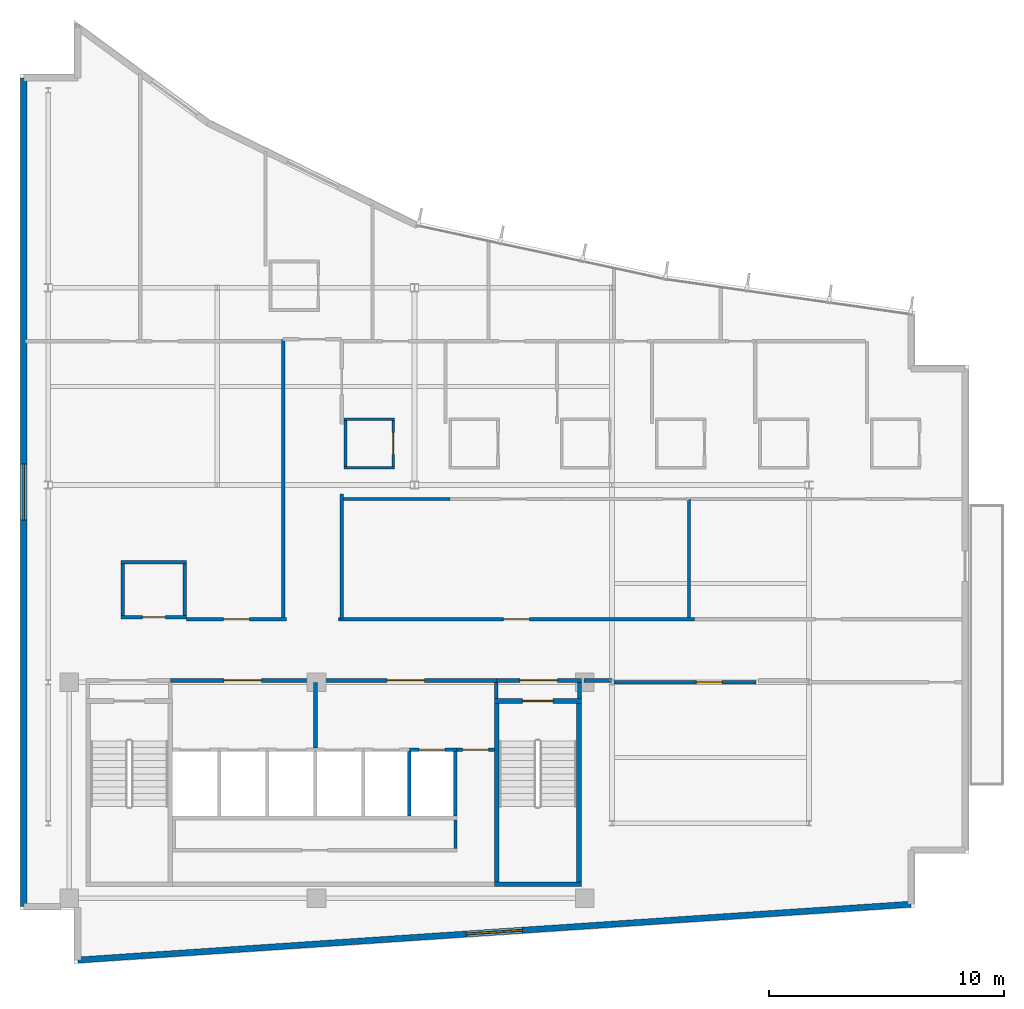
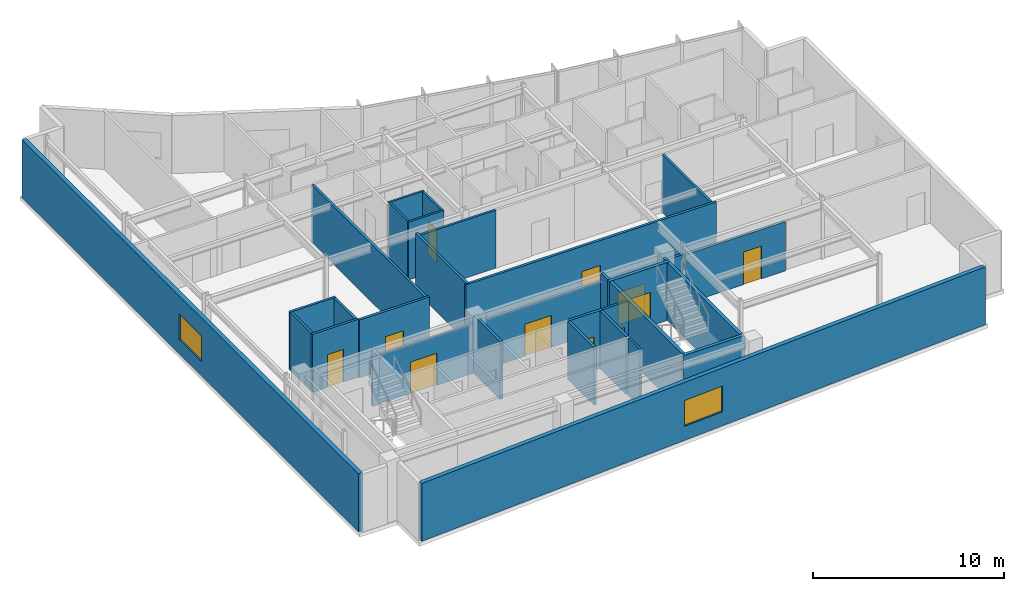
# One storey, part 10 of 16: 33 walls, 11 doors, 2 windows, 13 openings.
"""IFC4 building model written with IfcOpenShell, lengths in metres."""

from ifc_helpers import new_model, si_unit, direction, frame, frame_2d, origin, place, context, subcontext, project, spatial, rectangle, extrude, material, layer, layer_set, type_object, element, fill, save


model = new_model("IFC4")

# Units and contexts
model_context = context("Model", 3, precision=1e-05, world=origin(), true_north=direction((0.0, 1.0)))
body_context = subcontext(model_context, "Body", "Model", "MODEL_VIEW")
ifc_project = project(units=[si_unit("LENGTHUNIT", "METRE"), si_unit("AREAUNIT", "SQUARE_METRE"), si_unit("VOLUMEUNIT", "CUBIC_METRE"), si_unit("PLANEANGLEUNIT", "RADIAN"), si_unit("MASSUNIT", "GRAM", prefix="KILO")], contexts=[model_context])

# Site, building, storey
site_placement = place(None, origin())
site = spatial("IfcSite", under=ifc_project, at=site_placement, CompositionType="ELEMENT")
building_placement = place(site_placement, origin())
building = spatial("IfcBuilding", under=site, at=building_placement, Name="Varnakote Quay Hospital", CompositionType="ELEMENT")
storey_placement = place(building_placement, frame((0.0, 0.0, 292.10009765625)))
storey = spatial("IfcBuildingStorey", under=building, at=storey_placement, Name="L72", CompositionType="ELEMENT", Elevation=292.10009765625)

# Wall, opening, door
ifc_material_1 = material(Name="Fire-rated acoustic gypsum stud wall", Category="gypsum")
ifc_layer_1 = layer(ifc_material_1, 0.159912109375)
ifc_layer_set_1 = layer_set([ifc_layer_1], Name="Fire-rated acoustic gypsum stud wall")
wall_type_1 = type_object("IfcWallType", Name="WL-COMP-160", PredefinedType="PARTITIONING", material=ifc_layer_set_1)
wall_1_placement = place(storey_placement, frame((6.39990234375, 12.080078125, 0.0), z_axis=(0.0, 0.0, 1.0), x_axis=(1.0, 0.0, 0.0)))
wall_1 = element("IfcWall", 1, at=wall_1_placement, inside=storey, type_object=wall_type_1, Name="L72 Firefighting Lift Lobby Compartment Wall", PredefinedType="PARTITIONING", context=body_context, shape_type="SweptSolid", body=[
    extrude(rectangle(XDim=6.18017578125, YDim=0.159912109375, at=frame_2d((3.090087890625, 0.0))), origin(), (0.0, 0.0, 1.0), 3.156982421875),
])
opening_1_placement = place(wall_1_placement, frame((2.2900390625, 0.0, 0.0)))
opening_1 = element("IfcOpeningElement", 2, at=opening_1_placement, cuts=wall_1, Name="Opening D-FFL-L72", PredefinedType="OPENING", context=body_context, shape_type="SweptSolid", body=[
    extrude(rectangle(XDim=1.60009765625, YDim=2.050048828125, at=frame_2d((0.800048828125, 1.02490234375))), frame((0.0, 0.08984375, 0.0), z_axis=(0.0, -1.0, 0.0), x_axis=(1.0, 0.0, 0.0)), (0.0, 0.0, 1.0), 0.179931640625),
])
ifc_material_2 = material(Name="Fire-rated double smoke lobby door")
door_type_1 = type_object("IfcDoorType", Name="DR-LOBBY-FD60S-1600x2150", OperationType="NOTDEFINED", PredefinedType="DOOR", material=ifc_material_2)
door_1_placement = place(opening_1_placement, origin())
door_1 = element("IfcDoor", 3, at=door_1_placement, inside=storey, type_object=door_type_1, Name="L72 Firefighting Smoke Vestibule Door", OperationType="DOUBLE_DOOR_SINGLE_SWING", OverallHeight=2.050048828125, OverallWidth=1.60009765625, PredefinedType="DOOR", context=body_context, shape_type="SweptSolid", body=[
    extrude(rectangle(XDim=1.60009765625, YDim=2.050048828125, at=frame_2d((0.800048828125, 1.02490234375))), frame((0.0, 0.02490234375, 0.0), z_axis=(0.0, -1.0, 0.0), x_axis=(1.0, 0.0, 0.0)), (0.0, 0.0, 1.0), 0.050048828125),
])
fill(opening_1, door_1)

# Wall
wall_2_placement = place(storey_placement, frame((12.580078125, 9.2099609375, 0.0), z_axis=(0.0, 0.0, 1.0), x_axis=(0.0, 1.0, 0.0)))
element("IfcWall", 4, at=wall_2_placement, inside=storey, type_object=wall_type_1, Name="L72 Firefighting to Service Lobby Wall", PredefinedType="PARTITIONING", context=body_context, shape_type="SweptSolid", body=[
    extrude(rectangle(XDim=2.7900390625, YDim=0.159912109375, at=frame_2d((1.39501953125, 0.0))), origin(), (0.0, 0.0, 1.0), 3.7099609375),
])

# Wall, opening, door
wall_3_placement = place(storey_placement, frame((12.580078125, 12.080078125, 0.0), z_axis=(0.0, 0.0, 1.0), x_axis=(1.0, 0.0, 0.0)))
wall_3 = element("IfcWall", 5, at=wall_3_placement, inside=storey, type_object=wall_type_1, Name="L72 Clinical Bed Lift Lobby Wall", PredefinedType="PARTITIONING", context=body_context, shape_type="SweptSolid", body=[
    extrude(rectangle(XDim=7.699951171875, YDim=0.159912109375, at=frame_2d((3.85009765625, 0.0))), origin(), (0.0, 0.0, 1.0), 3.156982421875),
])
opening_2_placement = place(wall_3_placement, frame((3.050048828125, 0.0, 0.0)))
opening_2 = element("IfcOpeningElement", 6, at=opening_2_placement, cuts=wall_3, Name="Opening D-SVL-L72", PredefinedType="OPENING", context=body_context, shape_type="SweptSolid", body=[
    extrude(rectangle(XDim=1.60009765625, YDim=2.050048828125, at=frame_2d((0.800048828125, 1.02490234375))), frame((0.0, 0.08984375, 0.0), z_axis=(0.0, -1.0, 0.0), x_axis=(1.0, 0.0, 0.0)), (0.0, 0.0, 1.0), 0.179931640625),
])
door_2_placement = place(opening_2_placement, origin())
door_2 = element("IfcDoor", 7, at=door_2_placement, inside=storey, type_object=door_type_1, Name="L72 Clinical Core Smoke Vestibule Door", OperationType="DOUBLE_DOOR_SINGLE_SWING", OverallHeight=2.050048828125, OverallWidth=1.60009765625, PredefinedType="DOOR", context=body_context, shape_type="SweptSolid", body=[
    extrude(rectangle(XDim=1.60009765625, YDim=2.050048828125, at=frame_2d((0.800048828125, 1.02490234375))), frame((0.0, 0.02490234375, 0.0), z_axis=(0.0, -1.0, 0.0), x_axis=(1.0, 0.0, 0.0)), (0.0, 0.0, 1.0), 0.050048828125),
])
fill(opening_2, door_2)

# Wall
wall_4_placement = place(storey_placement, frame((20.280029296875, 11.300048828125, 0.0), z_axis=(0.0, 0.0, 1.0), x_axis=(0.0, 1.0, 0.0)))
element("IfcWall", 8, at=wall_4_placement, inside=storey, type_object=wall_type_1, Name="L72 East Stair Vestibule Divider Wall", PredefinedType="PARTITIONING", context=body_context, shape_type="SweptSolid", body=[
    extrude(rectangle(XDim=0.699951171875, YDim=0.159912109375, at=frame_2d((0.35009765625, 0.0))), origin(), (0.0, 0.0, 1.0), 3.7099609375),
])

# Wall, opening, door
wall_5_placement = place(storey_placement, frame((20.280029296875, 12.080078125, 0.0), z_axis=(0.0, 0.0, 1.0), x_axis=(1.0, 0.0, 0.0)))
wall_5 = element("IfcWall", 9, at=wall_5_placement, inside=storey, type_object=wall_type_1, Name="L72 East Stair Vestibule Smoke Wall", PredefinedType="PARTITIONING", context=body_context, shape_type="SweptSolid", body=[
    extrude(rectangle(XDim=3.619873046875, YDim=0.159912109375, at=frame_2d((1.81005859375, 0.0))), origin(), (0.0, 0.0, 1.0), 3.156982421875),
])
opening_3_placement = place(wall_5_placement, frame((1.010009765625, 0.0, 0.0)))
opening_3 = element("IfcOpeningElement", 10, at=opening_3_placement, cuts=wall_5, Name="Opening D-ST2L-L72", PredefinedType="OPENING", context=body_context, shape_type="SweptSolid", body=[
    extrude(rectangle(XDim=1.60009765625, YDim=2.050048828125, at=frame_2d((0.800048828125, 1.02490234375))), frame((0.0, 0.08984375, 0.0), z_axis=(0.0, -1.0, 0.0), x_axis=(1.0, 0.0, 0.0)), (0.0, 0.0, 1.0), 0.179931640625),
])
door_3_placement = place(opening_3_placement, origin())
door_3 = element("IfcDoor", 11, at=door_3_placement, inside=storey, type_object=door_type_1, Name="L72 East Stair Vestibule Smoke Door", OperationType="DOUBLE_DOOR_SINGLE_SWING", OverallHeight=2.050048828125, OverallWidth=1.60009765625, PredefinedType="DOOR", context=body_context, shape_type="SweptSolid", body=[
    extrude(rectangle(XDim=1.60009765625, YDim=2.050048828125, at=frame_2d((0.800048828125, 1.02490234375))), frame((0.0, 0.02490234375, 0.0), z_axis=(0.0, -1.0, 0.0), x_axis=(1.0, 0.0, 0.0)), (0.0, 0.0, 1.0), 0.050048828125),
])
fill(opening_3, door_3)

# Walls
wall_6_placement = place(storey_placement, frame((23.820068359375, 11.300048828125, 0.0), z_axis=(0.0, 0.0, 1.0), x_axis=(0.0, 1.0, 0.0)))
element("IfcWall", 12, at=wall_6_placement, inside=storey, type_object=wall_type_1, Name="L72 East Stair Vestibule East Wall", PredefinedType="PARTITIONING", context=body_context, shape_type="SweptSolid", body=[
    extrude(rectangle(XDim=0.699951171875, YDim=0.159912109375, at=frame_2d((0.35009765625, 0.0))), origin(), (0.0, 0.0, 1.0), 3.7099609375),
])
wall_7_placement = place(storey_placement, frame((24.02001953125, 12.080078125, 0.0), z_axis=(0.0, 0.0, 1.0), x_axis=(1.0, 0.0, 0.0)))
element("IfcWall", 13, at=wall_7_placement, inside=storey, type_object=wall_type_1, Name="L72 Corridor South Gap Wall", PredefinedType="PARTITIONING", context=body_context, shape_type="SweptSolid", body=[
    extrude(rectangle(XDim=1.193115234375, YDim=0.159912109375, at=frame_2d((0.5966796875, 0.0))), origin(), (0.0, 0.0, 1.0), 3.156982421875),
])
ifc_material_3 = material(Name="Moisture-resistant bathroom partition", Category="gypsum")
ifc_layer_2 = layer(ifc_material_3, 0.114990234375)
ifc_layer_set_2 = layer_set([ifc_layer_2], Name="Moisture-resistant bathroom partition")
wall_type_2 = type_object("IfcWallType", Name="WL-ENS-115", PredefinedType="PARTITIONING", material=ifc_layer_set_2)
for number, where, z_axis, x_axis, name in (
    (14, (13.804931640625, 21.132568359375, 0.0), (0.0, 0.0, 1.0), (1.0, 0.0, 0.0), "L72 Inpatient En-Suite Bathroom 01 S Wall"),
    (15, (13.804931640625, 23.197509765625, 0.0), (0.0, 0.0, 1.0), (1.0, 0.0, 0.0), "L72 Inpatient En-Suite Bathroom 01 N Wall"),
):
    element("IfcWall", number, at=place(storey_placement, frame(where, z_axis=z_axis, x_axis=x_axis)), inside=storey, type_object=wall_type_2, Name=name, PredefinedType="PARTITIONING", context=body_context, shape_type="SweptSolid", body=[
        extrude(rectangle(XDim=2.150146484375, YDim=0.114990234375, at=frame_2d((1.0751953125, 0.0))), origin(), (0.0, 0.0, 1.0), 3.7099609375),
    ])
wall_8_placement = place(storey_placement, frame((13.862548828125, 21.18994140625, 0.0), z_axis=(0.0, 0.0, 1.0), x_axis=(0.0, 1.0, 0.0)))
element("IfcWall", 16, at=wall_8_placement, inside=storey, type_object=wall_type_2, Name="L72 Inpatient En-Suite Bathroom 01 W Wall", PredefinedType="PARTITIONING", context=body_context, shape_type="SweptSolid", body=[
    extrude(rectangle(XDim=1.949951171875, YDim=0.114990234375, at=frame_2d((0.97509765625, 0.0))), origin(), (0.0, 0.0, 1.0), 3.7099609375),
])

# Wall, opening, door
wall_9_placement = place(storey_placement, frame((15.8974609375, 21.18994140625, 0.0), z_axis=(0.0, 0.0, 1.0), x_axis=(0.0, 1.0, 0.0)))
wall_9 = element("IfcWall", 17, at=wall_9_placement, inside=storey, type_object=wall_type_2, Name="L72 Inpatient En-Suite Bathroom 01 E Wall", PredefinedType="PARTITIONING", context=body_context, shape_type="SweptSolid", body=[
    extrude(rectangle(XDim=1.949951171875, YDim=0.114990234375, at=frame_2d((0.97509765625, 0.0))), origin(), (0.0, 0.0, 1.0), 3.7099609375),
])
opening_4_placement = place(wall_9_placement, frame((0.514892578125, 0.0, 0.0)))
opening_4 = element("IfcOpeningElement", 18, at=opening_4_placement, cuts=wall_9, Name="Opening D-L72-ENS01", PredefinedType="OPENING", context=body_context, shape_type="SweptSolid", body=[
    extrude(rectangle(XDim=0.919921875, YDim=2.10009765625, at=frame_2d((0.4599609375, 1.050048828125))), frame((0.0, 0.0673828125, 0.0), z_axis=(0.0, -1.0, 0.0), x_axis=(1.0, 0.0, 0.0)), (0.0, 0.0, 1.0), 0.135009765625),
])
ifc_material_4 = material(Name="Moisture-sealed en-suite bathroom door")
door_type_2 = type_object("IfcDoorType", Name="DR-ENS-920x2100", OperationType="NOTDEFINED", PredefinedType="DOOR", material=ifc_material_4)
door_4_placement = place(opening_4_placement, origin())
door_4 = element("IfcDoor", 19, at=door_4_placement, inside=storey, type_object=door_type_2, Name="L72 Inpatient En-Suite Bathroom 01 Door", OperationType="SINGLE_SWING_LEFT", OverallHeight=2.10009765625, OverallWidth=0.919921875, PredefinedType="DOOR", context=body_context, shape_type="SweptSolid", body=[
    extrude(rectangle(XDim=0.919921875, YDim=2.10009765625, at=frame_2d((0.4599609375, 1.050048828125))), frame((0.0, 0.02490234375, 0.0), z_axis=(0.0, -1.0, 0.0), x_axis=(1.0, 0.0, 0.0)), (0.0, 0.0, 1.0), 0.050048828125),
])
fill(opening_4, door_4)

# Wall, opening, window
ifc_material_5 = material(Name="Precast concrete N50 (f'c 50 MPa)", Category="concrete")
ifc_layer_3 = layer(ifc_material_5, 0.260009765625)
ifc_layer_set_3 = layer_set([ifc_layer_3], Name="Precast concrete N50 (f'c 50 MPa)")
wall_type_3 = type_object("IfcWallType", Name="WL-EXT-BRICK-260", PredefinedType="STANDARD", material=ifc_layer_set_3)
wall_10_placement = place(storey_placement, frame((2.4599609375, 0.171142578125, 0.0), z_axis=(0.0, 0.0, 1.0), x_axis=(0.997760665813, 0.066885377746, 0.0)))
wall_10 = element("IfcWall", 20, at=wall_10_placement, inside=storey, type_object=wall_type_3, Name="L72 Brick-Faced Precast Exterior Wall", PredefinedType="STANDARD", context=body_context, shape_type="SweptSolid", body=[
    extrude(rectangle(XDim=35.5595703125, YDim=0.260009765625, at=frame_2d((17.77978515625, 0.0))), origin(), (0.0, 0.0, 1.0), 3.7099609375),
])
opening_5_placement = place(wall_10_placement, frame((16.579833984375, 0.0, 0.89990234375)))
opening_5 = element("IfcOpeningElement", 21, at=opening_5_placement, cuts=wall_10, Name="Opening WN-0290", PredefinedType="OPENING", context=body_context, shape_type="SweptSolid", body=[
    extrude(rectangle(XDim=2.39990234375, YDim=1.64990234375, at=frame_2d((1.199951171875, 0.824951171875))), frame((0.0, 0.139892578125, 0.0), z_axis=(0.0, -1.0, 0.0), x_axis=(1.0, 0.0, 0.0)), (0.0, 0.0, 1.0), 0.280029296875),
])
ifc_material_6 = material(Name="Double-glazed low-E solar glass", Category="glass")
window_type = type_object("IfcWindowType", Name="WIN-CLIN-2400x1650", PartitioningType="SINGLE_PANEL", PredefinedType="WINDOW", material=ifc_material_6)
window_1_placement = place(opening_5_placement, origin())
window_1 = element("IfcWindow", 22, at=window_1_placement, inside=storey, type_object=window_type, Name="L72 Solar-Control Clinical Window", OverallHeight=1.64990234375, OverallWidth=2.39990234375, PartitioningType="SINGLE_PANEL", PredefinedType="WINDOW", context=body_context, shape_type="SweptSolid", body=[
    extrude(rectangle(XDim=2.39990234375, YDim=1.64990234375, at=frame_2d((1.199951171875, 0.824951171875))), frame((0.0, 0.030029296875, 0.0), z_axis=(0.0, -1.0, 0.0), x_axis=(1.0, 0.0, 0.0)), (0.0, 0.0, 1.0), 0.06005859375),
])
fill(opening_5, window_1)

wall_11_placement = place(storey_placement, frame((0.159912109375, 37.739990234375, 0.0), z_axis=(0.0, 0.0, 1.0), x_axis=(0.0, -1.0, 0.0)))
wall_11 = element("IfcWall", 23, at=wall_11_placement, inside=storey, type_object=wall_type_3, Name="L72 Brick-Faced Precast Exterior Wall", PredefinedType="STANDARD", context=body_context, shape_type="SweptSolid", body=[
    extrude(rectangle(XDim=35.280029296875, YDim=0.260009765625, at=frame_2d((17.64013671875, 0.0))), origin(), (0.0, 0.0, 1.0), 3.7099609375),
])
opening_6_placement = place(wall_11_placement, frame((16.43994140625, 0.0, 0.89990234375)))
opening_6 = element("IfcOpeningElement", 24, at=opening_6_placement, cuts=wall_11, Name="Opening WN-0293", PredefinedType="OPENING", context=body_context, shape_type="SweptSolid", body=[
    extrude(rectangle(XDim=2.39990234375, YDim=1.64990234375, at=frame_2d((1.199951171875, 0.824951171875))), frame((0.0, 0.139892578125, 0.0), z_axis=(0.0, -1.0, 0.0), x_axis=(1.0, 0.0, 0.0)), (0.0, 0.0, 1.0), 0.280029296875),
])
window_2_placement = place(opening_6_placement, origin())
window_2 = element("IfcWindow", 25, at=window_2_placement, inside=storey, type_object=window_type, Name="L72 Solar-Control Clinical Window", OverallHeight=1.64990234375, OverallWidth=2.39990234375, PartitioningType="SINGLE_PANEL", PredefinedType="WINDOW", context=body_context, shape_type="SweptSolid", body=[
    extrude(rectangle(XDim=2.39990234375, YDim=1.64990234375, at=frame_2d((1.199951171875, 0.824951171875))), frame((0.0, 0.030029296875, 0.0), z_axis=(0.0, -1.0, 0.0), x_axis=(1.0, 0.0, 0.0)), (0.0, 0.0, 1.0), 0.06005859375),
])
fill(opening_6, window_2)

# Walls
ifc_material_7 = material(Name="Concrete N50 (f'c 50 MPa)", Category="concrete")
ifc_layer_4 = layer(ifc_material_7, 0.14990234375)
ifc_layer_set_4 = layer_set([ifc_layer_4], Name="Concrete N50 (f'c 50 MPa)")
wall_type_4 = type_object("IfcWallType", Name="WL-SHAFT-N50-150", PredefinedType="SHEAR", material=ifc_layer_set_4)
wall_12_placement = place(storey_placement, frame((16.574951171875, 6.300048828125, 0.0), z_axis=(0.0, 0.0, 1.0), x_axis=(0.0, 1.0, 0.0)))
element("IfcWall", 26, at=wall_12_placement, inside=storey, type_object=wall_type_4, Name="L72 LF-PH1 Hoistway Divider Wall", PredefinedType="SHEAR", context=body_context, shape_type="SweptSolid", body=[
    extrude(rectangle(XDim=2.75, YDim=0.14990234375, at=frame_2d((1.375, 0.0))), origin(), (0.0, 0.0, 1.0), 3.7099609375),
])
ifc_material_8 = material(Name="Concrete N50 (f'c 50 MPa)", Category="concrete")
ifc_layer_5 = layer(ifc_material_8, 0.159912109375)
ifc_layer_set_5 = layer_set([ifc_layer_5], Name="Concrete N50 (f'c 50 MPa)")
wall_type_5 = type_object("IfcWallType", Name="WL-SHAFT-N50-160", PredefinedType="SHEAR", material=ifc_layer_set_5)
wall_13_placement = place(storey_placement, frame((18.530029296875, 6.300048828125, 0.0), z_axis=(0.0, 0.0, 1.0), x_axis=(0.0, 1.0, 0.0)))
element("IfcWall", 27, at=wall_13_placement, inside=storey, type_object=wall_type_5, Name="L72 REAR Lift Bank East Shear Wall", PredefinedType="SHEAR", context=body_context, shape_type="SweptSolid", body=[
    extrude(rectangle(XDim=2.75, YDim=0.159912109375, at=frame_2d((1.375, 0.0))), origin(), (0.0, 0.0, 1.0), 3.7099609375),
])

# Wall, opening, door
wall_14_placement = place(storey_placement, frame((16.574951171875, 9.1298828125, 0.0), z_axis=(0.0, 0.0, 1.0), x_axis=(1.0, 0.0, 0.0)))
wall_14 = element("IfcWall", 28, at=wall_14_placement, inside=storey, type_object=wall_type_5, Name="L72 LF-PH2 Hoistway Front Wall", PredefinedType="SHEAR", context=body_context, shape_type="SweptSolid", body=[
    extrude(rectangle(XDim=2.03515625, YDim=0.159912109375, at=frame_2d((1.017578125, 0.0))), origin(), (0.0, 0.0, 1.0), 3.7099609375),
])
opening_7_placement = place(wall_14_placement, frame((0.425048828125, 0.0, 0.0)))
opening_7 = element("IfcOpeningElement", 29, at=opening_7_placement, cuts=wall_14, Name="Opening LD-PH2-L72", PredefinedType="OPENING", context=body_context, shape_type="SweptSolid", body=[
    extrude(rectangle(XDim=1.10009765625, YDim=2.14990234375, at=frame_2d((0.550048828125, 1.074951171875))), frame((0.0, 0.08984375, 0.0), z_axis=(0.0, -1.0, 0.0), x_axis=(1.0, 0.0, 0.0)), (0.0, 0.0, 1.0), 0.179931640625),
])
ifc_material_9 = material(Name="Brushed bronze lift landing sliding door")
door_type_3 = type_object("IfcDoorType", Name="DR-LIFT-LD-1100x2150", OperationType="NOTDEFINED", PredefinedType="DOOR", material=ifc_material_9)
door_5_placement = place(opening_7_placement, origin())
door_5 = element("IfcDoor", 30, at=door_5_placement, inside=storey, type_object=door_type_3, Name="L72 LF-PH2 Lift Landing Sliding Door", OperationType="SLIDING_TO_LEFT", OverallHeight=2.14990234375, OverallWidth=1.10009765625, PredefinedType="DOOR", context=body_context, shape_type="SweptSolid", body=[
    extrude(rectangle(XDim=1.10009765625, YDim=2.14990234375, at=frame_2d((0.550048828125, 1.074951171875))), frame((0.0, 0.02490234375, 0.0), z_axis=(0.0, -1.0, 0.0), x_axis=(1.0, 0.0, 0.0)), (0.0, 0.0, 1.0), 0.050048828125),
])
fill(opening_7, door_5)

# Walls
ifc_material_10 = material(Name="Concrete N50 (f'c 50 MPa)", Category="concrete")
ifc_layer_6 = layer(ifc_material_10, 0.199951171875)
ifc_layer_set_6 = layer_set([ifc_layer_6], Name="Concrete N50 (f'c 50 MPa)")
wall_type_6 = type_object("IfcWallType", Name="WL-SHAFT-N50-200", PredefinedType="SHEAR", material=ifc_layer_set_6)
wall_15_placement = place(storey_placement, frame((20.199951171875, 3.39990234375, 0.0), z_axis=(0.0, 0.0, 1.0), x_axis=(1.0, 0.0, 0.0)))
element("IfcWall", 31, at=wall_15_placement, inside=storey, type_object=wall_type_6, Name="L72 Stair ST2 South Shaft Wall", PredefinedType="SHEAR", context=body_context, shape_type="SweptSolid", body=[
    extrude(rectangle(XDim=3.699951171875, YDim=0.199951171875, at=frame_2d((1.85009765625, 0.0))), origin(), (0.0, 0.0, 1.0), 3.7099609375),
])
for number, where, z_axis, x_axis, name in (
    (32, (20.300048828125, 3.5, 0.0), (0.0, 0.0, 1.0), (0.0, 1.0, 0.0), "L72 Stair ST2 West Shaft Wall"),
    (33, (23.800048828125, 3.5, 0.0), (0.0, 0.0, 1.0), (0.0, 1.0, 0.0), "L72 Stair ST2 East Shaft Wall"),
):
    element("IfcWall", number, at=place(storey_placement, frame(where, z_axis=z_axis, x_axis=x_axis)), inside=storey, type_object=wall_type_6, Name=name, PredefinedType="SHEAR", context=body_context, shape_type="SweptSolid", body=[
        extrude(rectangle(XDim=7.60009765625, YDim=0.199951171875, at=frame_2d((3.800048828125, 0.0))), origin(), (0.0, 0.0, 1.0), 3.7099609375),
    ])

# Wall, opening, door
wall_16_placement = place(storey_placement, frame((20.199951171875, 11.199951171875, 0.0), z_axis=(0.0, 0.0, 1.0), x_axis=(1.0, 0.0, 0.0)))
wall_16 = element("IfcWall", 34, at=wall_16_placement, inside=storey, type_object=wall_type_6, Name="L72 Stair ST2 Exit Wall", PredefinedType="SHEAR", context=body_context, shape_type="SweptSolid", body=[
    extrude(rectangle(XDim=3.699951171875, YDim=0.199951171875, at=frame_2d((1.85009765625, 0.0))), origin(), (0.0, 0.0, 1.0), 3.7099609375),
])
opening_8_placement = place(wall_16_placement, frame((1.199951171875, 0.0, 0.0)))
opening_8 = element("IfcOpeningElement", 35, at=opening_8_placement, cuts=wall_16, Name="Opening D-ST2-L72", PredefinedType="OPENING", context=body_context, shape_type="SweptSolid", body=[
    extrude(rectangle(XDim=1.300048828125, YDim=2.14990234375, at=frame_2d((0.64990234375, 1.074951171875))), frame((0.0, 0.10986328125, 0.0), z_axis=(0.0, -1.0, 0.0), x_axis=(1.0, 0.0, 0.0)), (0.0, 0.0, 1.0), 0.219970703125),
])
ifc_material_11 = material(Name="Fire-rated ceramic-glazed timber exit door", Category="wood")
door_type_4 = type_object("IfcDoorType", Name="DR-STAIR-FD60S-1300x2150", OperationType="NOTDEFINED", PredefinedType="DOOR", material=ifc_material_11)
door_6_placement = place(opening_8_placement, origin())
door_6 = element("IfcDoor", 36, at=door_6_placement, inside=storey, type_object=door_type_4, Name="L72 Stair ST2 Fire Exit Door", OperationType="SINGLE_SWING_LEFT", OverallHeight=2.14990234375, OverallWidth=1.300048828125, PredefinedType="DOOR", context=body_context, shape_type="SweptSolid", body=[
    extrude(rectangle(XDim=1.300048828125, YDim=2.14990234375, at=frame_2d((0.64990234375, 1.074951171875))), frame((0.0, 0.02490234375, 0.0), z_axis=(0.0, -1.0, 0.0), x_axis=(1.0, 0.0, 0.0)), (0.0, 0.0, 1.0), 0.050048828125),
])
fill(opening_8, door_6)

# Walls
ifc_material_12 = material(Name="Smoke-proof clinical partition", Category="gypsum")
ifc_layer_7 = layer(ifc_material_12, 0.1201171875)
ifc_layer_set_7 = layer_set([ifc_layer_7], Name="Smoke-proof clinical partition")
wall_type_7 = type_object("IfcWallType", Name="WL-SMOKE-120", PredefinedType="PARTITIONING", material=ifc_layer_set_7)
wall_17_placement = place(storey_placement, frame((18.5400390625, 4.919921875, 0.0), z_axis=(0.0, 0.0, 1.0), x_axis=(0.0, 1.0, 0.0)))
element("IfcWall", 37, at=wall_17_placement, inside=storey, type_object=wall_type_7, Name="L72 Core Service Strip East Wall", PredefinedType="PARTITIONING", context=body_context, shape_type="SweptSolid", body=[
    extrude(rectangle(XDim=1.219970703125, YDim=0.1201171875, at=frame_2d((0.60986328125, 0.0))), origin(), (0.0, 0.0, 1.0), 3.7099609375),
])
ifc_material_13 = material(Name="Smoke-proof clinical partition", Category="gypsum")
ifc_layer_8 = layer(ifc_material_13, 0.135009765625)
ifc_layer_set_8 = layer_set([ifc_layer_8], Name="Smoke-proof clinical partition")
wall_type_8 = type_object("IfcWallType", Name="WL-SMOKE-135", PredefinedType="PARTITIONING", material=ifc_layer_set_8)
wall_18_placement = place(storey_placement, frame((28.489990234375, 14.760009765625, 0.0), z_axis=(0.0, 0.0, 1.0), x_axis=(0.0, 1.0, 0.0)))
element("IfcWall", 38, at=wall_18_placement, inside=storey, type_object=wall_type_8, Name="L72 Clinical Interior Partition", PredefinedType="PARTITIONING", context=body_context, shape_type="SweptSolid", body=[
    extrude(rectangle(XDim=5.0400390625, YDim=0.135009765625, at=frame_2d((2.52001953125, 0.0))), origin(), (0.0, 0.0, 1.0), 3.7099609375),
])
wall_19_placement = place(storey_placement, frame((18.314697265625, 19.800048828125, 0.0), z_axis=(0.0, 0.0, 1.0), x_axis=(-1.0, 0.0, 0.0)))
element("IfcWall", 39, at=wall_19_placement, inside=storey, type_object=wall_type_8, Name="L72 Clinical Interior Partition", PredefinedType="PARTITIONING", context=body_context, shape_type="SweptSolid", body=[
    extrude(rectangle(XDim=4.53466796875, YDim=0.135009765625, at=frame_2d((2.267333984375, 0.0))), origin(), (0.0, 0.0, 1.0), 3.7099609375),
])

# Wall, opening, door
ifc_material_14 = material(Name="Fire-rated clinical gypsum partition", Category="gypsum")
ifc_layer_9 = layer(ifc_material_14, 0.139892578125)
ifc_layer_set_9 = layer_set([ifc_layer_9], Name="Fire-rated clinical gypsum partition")
wall_type_9 = type_object("IfcWallType", Name="WL-WARD-140", PredefinedType="PARTITIONING", material=ifc_layer_set_9)
wall_20_placement = place(storey_placement, frame((18.610107421875, 9.1298828125, 0.0), z_axis=(0.0, 0.0, 1.0), x_axis=(1.0, 0.0, 0.0)))
wall_20 = element("IfcWall", 40, at=wall_20_placement, inside=storey, type_object=wall_type_9, Name="L72 Core Service Corridor North Door Wall", PredefinedType="PARTITIONING", context=body_context, shape_type="SweptSolid", body=[
    extrude(rectangle(XDim=1.58984375, YDim=0.139892578125, at=frame_2d((0.794921875, 0.0))), origin(), (0.0, 0.0, 1.0), 3.7099609375),
])
opening_9_placement = place(wall_20_placement, frame((0.239990234375, 0.0, 0.0)))
opening_9 = element("IfcOpeningElement", 41, at=opening_9_placement, cuts=wall_20, Name="Opening D-CSRV-L72", PredefinedType="OPENING", context=body_context, shape_type="SweptSolid", body=[
    extrude(rectangle(XDim=1.10009765625, YDim=2.10009765625, at=frame_2d((0.550048828125, 1.050048828125))), frame((0.0, 0.079833984375, 0.0), z_axis=(0.0, -1.0, 0.0), x_axis=(1.0, 0.0, 0.0)), (0.0, 0.0, 1.0), 0.159912109375),
])
ifc_material_15 = material(Name="Acoustic timber clinical consult door", Category="wood")
door_type_5 = type_object("IfcDoorType", Name="DR-CLIN-FD30S-1100x2100", OperationType="NOTDEFINED", PredefinedType="DOOR", material=ifc_material_15)
door_7_placement = place(opening_9_placement, origin())
door_7 = element("IfcDoor", 42, at=door_7_placement, inside=storey, type_object=door_type_5, Name="L72 Core Service Corridor Door", OperationType="SINGLE_SWING_LEFT", OverallHeight=2.10009765625, OverallWidth=1.10009765625, PredefinedType="DOOR", context=body_context, shape_type="SweptSolid", body=[
    extrude(rectangle(XDim=1.10009765625, YDim=2.10009765625, at=frame_2d((0.550048828125, 1.050048828125))), frame((0.0, 0.02490234375, 0.0), z_axis=(0.0, -1.0, 0.0), x_axis=(1.0, 0.0, 0.0)), (0.0, 0.0, 1.0), 0.050048828125),
])
fill(opening_9, door_7)

wall_21_placement = place(storey_placement, frame((4.31005859375, 14.77001953125, 0.0), z_axis=(0.0, 0.0, 1.0), x_axis=(1.0, 0.0, 0.0)))
wall_21 = element("IfcWall", 43, at=wall_21_placement, inside=storey, type_object=wall_type_9, Name="L72 Floor Unisex Accessible WC S Wall", PredefinedType="PARTITIONING", context=body_context, shape_type="SweptSolid", body=[
    extrude(rectangle(XDim=2.780029296875, YDim=0.139892578125, at=frame_2d((1.39013671875, 0.0))), origin(), (0.0, 0.0, 1.0), 3.7099609375),
])
opening_10_placement = place(wall_21_placement, frame((0.89990234375, 0.0, 0.0)))
opening_10 = element("IfcOpeningElement", 44, at=opening_10_placement, cuts=wall_21, Name="Opening D-L72-EW01", PredefinedType="OPENING", context=body_context, shape_type="SweptSolid", body=[
    extrude(rectangle(XDim=0.97998046875, YDim=2.10009765625, at=frame_2d((0.489990234375, 1.050048828125))), frame((0.0, 0.079833984375, 0.0), z_axis=(0.0, -1.0, 0.0), x_axis=(1.0, 0.0, 0.0)), (0.0, 0.0, 1.0), 0.159912109375),
])
ifc_material_16 = material(Name="Accessible sanitary compartment door")
door_type_6 = type_object("IfcDoorType", Name="DR-WC-980x2100", OperationType="NOTDEFINED", PredefinedType="DOOR", material=ifc_material_16)
door_8_placement = place(opening_10_placement, origin())
door_8 = element("IfcDoor", 45, at=door_8_placement, inside=storey, type_object=door_type_6, Name="L72 Floor Unisex Accessible WC Door", OperationType="SINGLE_SWING_RIGHT", OverallHeight=2.10009765625, OverallWidth=0.97998046875, PredefinedType="DOOR", context=body_context, shape_type="SweptSolid", body=[
    extrude(rectangle(XDim=0.97998046875, YDim=2.10009765625, at=frame_2d((0.489990234375, 1.050048828125))), frame((0.0, 0.02490234375, 0.0), z_axis=(0.0, -1.0, 0.0), x_axis=(1.0, 0.0, 0.0)), (0.0, 0.0, 1.0), 0.050048828125),
])
fill(opening_10, door_8)

# Walls
wall_22_placement = place(storey_placement, frame((4.31005859375, 17.110107421875, 0.0), z_axis=(0.0, 0.0, 1.0), x_axis=(1.0, 0.0, 0.0)))
element("IfcWall", 46, at=wall_22_placement, inside=storey, type_object=wall_type_9, Name="L72 Floor Unisex Accessible WC N Wall", PredefinedType="PARTITIONING", context=body_context, shape_type="SweptSolid", body=[
    extrude(rectangle(XDim=2.780029296875, YDim=0.139892578125, at=frame_2d((1.39013671875, 0.0))), origin(), (0.0, 0.0, 1.0), 3.7099609375),
])
for number, where, z_axis, x_axis, name in (
    (47, (4.3798828125, 14.840087890625, 0.0), (0.0, 0.0, 1.0), (0.0, 1.0, 0.0), "L72 Floor Unisex Accessible WC W Wall"),
    (48, (7.02001953125, 14.840087890625, 0.0), (0.0, 0.0, 1.0), (0.0, 1.0, 0.0), "L72 Floor Unisex Accessible WC E Wall"),
):
    element("IfcWall", number, at=place(storey_placement, frame(where, z_axis=z_axis, x_axis=x_axis)), inside=storey, type_object=wall_type_9, Name=name, PredefinedType="PARTITIONING", context=body_context, shape_type="SweptSolid", body=[
        extrude(rectangle(XDim=2.199951171875, YDim=0.139892578125, at=frame_2d((1.10009765625, 0.0))), origin(), (0.0, 0.0, 1.0), 3.7099609375),
    ])

# Wall, opening, door
ifc_material_17 = material(Name="Fire-rated clinical gypsum partition", Category="gypsum")
ifc_layer_10 = layer(ifc_material_17, 0.14990234375)
ifc_layer_set_10 = layer_set([ifc_layer_10], Name="Fire-rated clinical gypsum partition")
wall_type_10 = type_object("IfcWallType", Name="WL-WARD-150", PredefinedType="PARTITIONING", material=ifc_layer_set_10)
wall_23_placement = place(storey_placement, frame((31.35009765625, 12.0, 0.0), z_axis=(0.0, 0.0, 1.0), x_axis=(-1.0, 0.0, 0.0)))
wall_23 = element("IfcWall", 49, at=wall_23_placement, inside=storey, type_object=wall_type_10, Name="L72 Clinical Interior Partition", PredefinedType="PARTITIONING", context=body_context, shape_type="SweptSolid", body=[
    extrude(rectangle(XDim=6.047607421875, YDim=0.14990234375, at=frame_2d((3.02392578125, 0.0))), origin(), (0.0, 0.0, 1.0), 3.156982421875),
])
opening_11_placement = place(wall_23_placement, frame((1.45068359375, 0.0, 0.0)))
opening_11 = element("IfcOpeningElement", 50, at=opening_11_placement, cuts=wall_23, Name="Opening D-L72-RL1", PredefinedType="OPENING", context=body_context, shape_type="SweptSolid", body=[
    extrude(rectangle(XDim=1.10009765625, YDim=2.10009765625, at=frame_2d((0.550048828125, 1.050048828125))), frame((0.0, 0.0849609375, 0.0), z_axis=(0.0, -1.0, 0.0), x_axis=(1.0, 0.0, 0.0)), (0.0, 0.0, 1.0), 0.169921875),
])
door_9_placement = place(opening_11_placement, origin())
door_9 = element("IfcDoor", 51, at=door_9_placement, inside=storey, type_object=door_type_5, Name="L72 Day Infusion Treatment Suite Door", OperationType="SINGLE_SWING_RIGHT", OverallHeight=2.10009765625, OverallWidth=1.10009765625, PredefinedType="DOOR", context=body_context, shape_type="SweptSolid", body=[
    extrude(rectangle(XDim=1.10009765625, YDim=2.10009765625, at=frame_2d((0.550048828125, 1.050048828125))), frame((0.0, 0.02490234375, 0.0), z_axis=(0.0, -1.0, 0.0), x_axis=(1.0, 0.0, 0.0)), (0.0, 0.0, 1.0), 0.050048828125),
])
fill(opening_11, door_9)

wall_24_placement = place(storey_placement, frame((11.345947265625, 14.679931640625, 0.0), z_axis=(0.0, 0.0, 1.0), x_axis=(-1.0, 0.0, 0.0)))
wall_24 = element("IfcWall", 52, at=wall_24_placement, inside=storey, type_object=wall_type_10, Name="L72 Clinical Interior Partition", PredefinedType="PARTITIONING", context=body_context, shape_type="SweptSolid", body=[
    extrude(rectangle(XDim=4.25390625, YDim=0.14990234375, at=frame_2d((2.126953125, 0.0))), origin(), (0.0, 0.0, 1.0), 3.7099609375),
])
opening_12_placement = place(wall_24_placement, frame((1.576904296875, 0.0, 0.0)))
opening_12 = element("IfcOpeningElement", 53, at=opening_12_placement, cuts=wall_24, Name="Opening D-L72-MD01", PredefinedType="OPENING", context=body_context, shape_type="SweptSolid", body=[
    extrude(rectangle(XDim=1.10009765625, YDim=2.10009765625, at=frame_2d((0.550048828125, 1.050048828125))), frame((0.0, 0.0849609375, 0.0), z_axis=(0.0, -1.0, 0.0), x_axis=(1.0, 0.0, 0.0)), (0.0, 0.0, 1.0), 0.169921875),
])
door_10_placement = place(opening_12_placement, origin())
door_10 = element("IfcDoor", 54, at=door_10_placement, inside=storey, type_object=door_type_5, Name="L72 Patient Restorative Dining Room Door", OperationType="SINGLE_SWING_RIGHT", OverallHeight=2.10009765625, OverallWidth=1.10009765625, PredefinedType="DOOR", context=body_context, shape_type="SweptSolid", body=[
    extrude(rectangle(XDim=1.10009765625, YDim=2.10009765625, at=frame_2d((0.550048828125, 1.050048828125))), frame((0.0, 0.02490234375, 0.0), z_axis=(0.0, -1.0, 0.0), x_axis=(1.0, 0.0, 0.0)), (0.0, 0.0, 1.0), 0.050048828125),
])
fill(opening_12, door_10)

wall_25_placement = place(storey_placement, frame((28.716064453125, 14.679931640625, 0.0), z_axis=(0.0, 0.0, 1.0), x_axis=(-1.0, 0.0, 0.0)))
wall_25 = element("IfcWall", 55, at=wall_25_placement, inside=storey, type_object=wall_type_10, Name="L72 Clinical Interior Partition", PredefinedType="PARTITIONING", context=body_context, shape_type="SweptSolid", body=[
    extrude(rectangle(XDim=15.162109375, YDim=0.14990234375, at=frame_2d((7.5810546875, 0.0))), origin(), (0.0, 0.0, 1.0), 3.7099609375),
])
opening_13_placement = place(wall_25_placement, frame((7.031005859375, 0.0, 0.0)))
opening_13 = element("IfcOpeningElement", 56, at=opening_13_placement, cuts=wall_25, Name="Opening D-L72-MD02", PredefinedType="OPENING", context=body_context, shape_type="SweptSolid", body=[
    extrude(rectangle(XDim=1.10009765625, YDim=2.10009765625, at=frame_2d((0.550048828125, 1.050048828125))), frame((0.0, 0.0849609375, 0.0), z_axis=(0.0, -1.0, 0.0), x_axis=(1.0, 0.0, 0.0)), (0.0, 0.0, 1.0), 0.169921875),
])
door_11_placement = place(opening_13_placement, origin())
door_11 = element("IfcDoor", 57, at=door_11_placement, inside=storey, type_object=door_type_5, Name="L72 Trauma Step-Down Treatment Suite Door", OperationType="SINGLE_SWING_LEFT", OverallHeight=2.10009765625, OverallWidth=1.10009765625, PredefinedType="DOOR", context=body_context, shape_type="SweptSolid", body=[
    extrude(rectangle(XDim=1.10009765625, YDim=2.10009765625, at=frame_2d((0.550048828125, 1.050048828125))), frame((0.0, 0.02490234375, 0.0), z_axis=(0.0, -1.0, 0.0), x_axis=(1.0, 0.0, 0.0)), (0.0, 0.0, 1.0), 0.050048828125),
])
fill(opening_13, door_11)

# Walls
wall_26_placement = place(storey_placement, frame((11.199951171875, 26.60009765625, 0.0), z_axis=(0.0, 0.0, 1.0), x_axis=(0.0, -1.0, 0.0)))
element("IfcWall", 58, at=wall_26_placement, inside=storey, type_object=wall_type_10, Name="L72 Clinical Interior Partition", PredefinedType="PARTITIONING", context=body_context, shape_type="SweptSolid", body=[
    extrude(rectangle(XDim=11.900146484375, YDim=0.14990234375, at=frame_2d((5.9501953125, 0.0))), origin(), (0.0, 0.0, 1.0), 3.7099609375),
])
wall_27_placement = place(storey_placement, frame((13.699951171875, 14.699951171875, 0.0), z_axis=(0.0, 0.0, 1.0), x_axis=(0.0, 1.0, 0.0)))
element("IfcWall", 59, at=wall_27_placement, inside=storey, type_object=wall_type_10, Name="L72 Clinical Interior Partition", PredefinedType="PARTITIONING", context=body_context, shape_type="SweptSolid", body=[
    extrude(rectangle(XDim=5.325927734375, YDim=0.14990234375, at=frame_2d((2.6630859375, 0.0))), origin(), (0.0, 0.0, 1.0), 3.7099609375),
])

save(model, "model.ifc")
